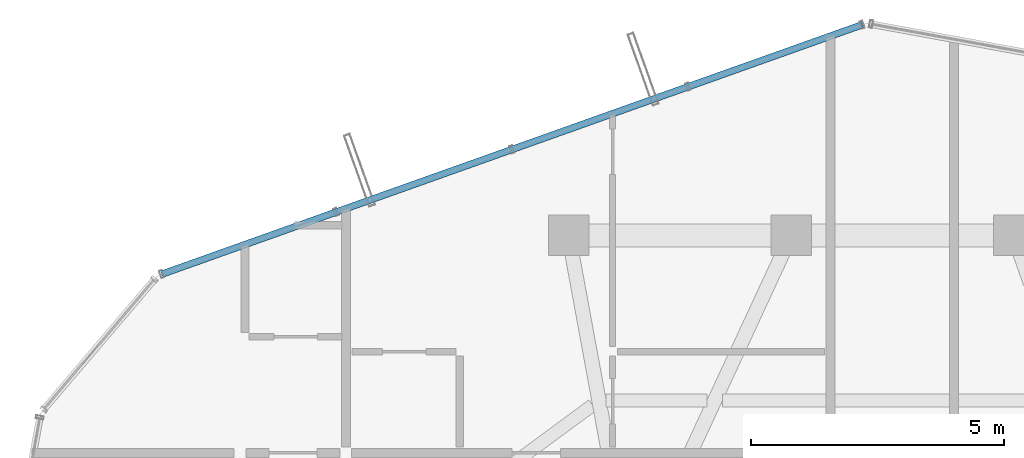
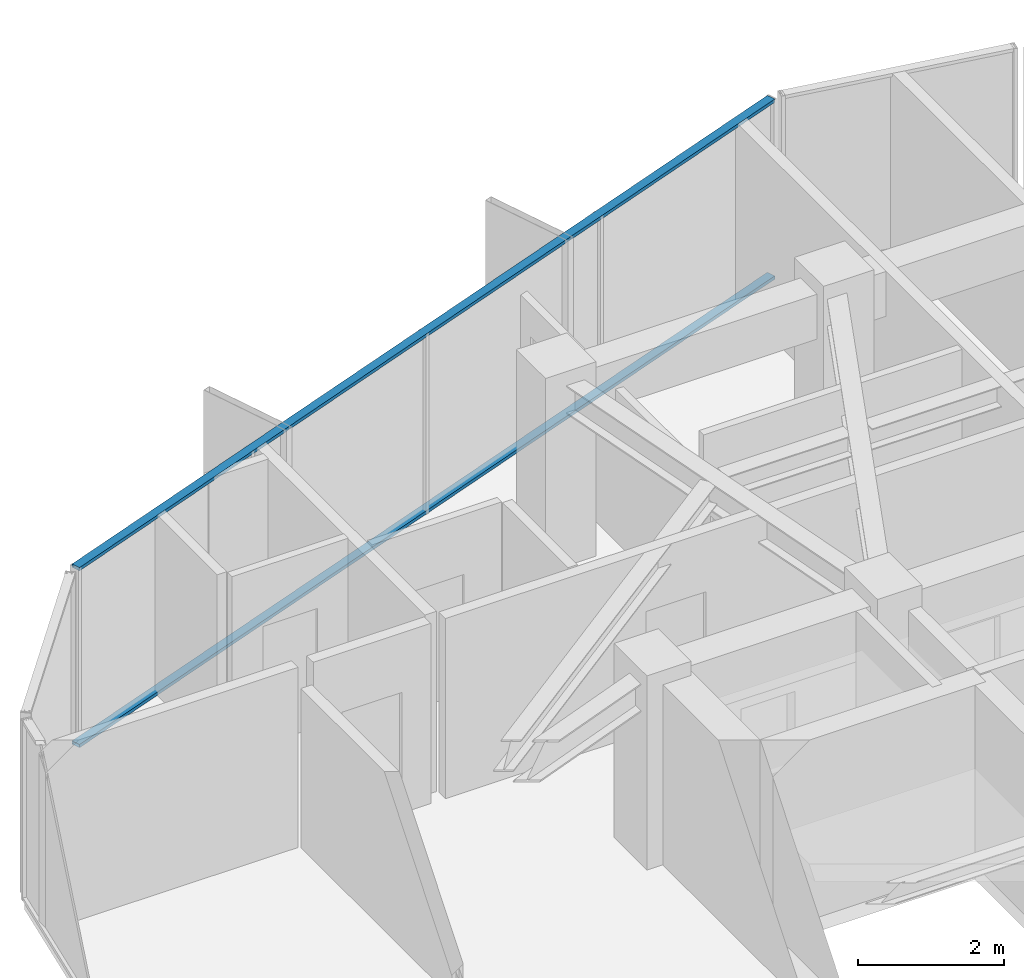
# One storey, part 22 of 29: 2 members, 1 element without a shape of its own.
"""IFC4 building model written with IfcOpenShell, lengths in metres."""

from ifc_helpers import new_model, si_unit, direction, frame, origin, origin_2d, place, context, subcontext, project, spatial, hollow_rectangle, extrude, source, transform, mapped, material, layer, layer_set, material_profile, profile_set, type_object, element, aggregate, save


model = new_model("IFC4")

# Units and contexts
model_context = context("Model", 3, precision=1e-05, world=origin(), true_north=direction((0.0, 1.0)))
body_context = subcontext(model_context, "Body", "Model", "MODEL_VIEW")
ifc_project = project(units=[si_unit("LENGTHUNIT", "METRE"), si_unit("AREAUNIT", "SQUARE_METRE"), si_unit("VOLUMEUNIT", "CUBIC_METRE"), si_unit("PLANEANGLEUNIT", "RADIAN"), si_unit("MASSUNIT", "GRAM", prefix="KILO")], contexts=[model_context])

# Site, building, storey
site_placement = place(None, origin())
site = spatial("IfcSite", under=ifc_project, at=site_placement, CompositionType="ELEMENT")
building_placement = place(site_placement, origin())
building = spatial("IfcBuilding", under=site, at=building_placement, Name="Veraguas Prism Commons", CompositionType="ELEMENT")
storey_placement = place(building_placement, frame((0.0, 0.0, 244.75)))
storey = spatial("IfcBuildingStorey", under=building, at=storey_placement, Name="L69", CompositionType="ELEMENT", Elevation=244.75)

# Curtain wall, members
ifc_material = material(Name="Anodised aluminium EN AW-6063 T6", Category="aluminium")
ifc_layer = layer(ifc_material, 0.14990234375, Name="Unitised Flush Curtain Wall Zone 4", Category="aluminium")
ifc_layer_set = layer_set([ifc_layer], Name="Anodised aluminium EN AW-6063 T6")
curtain_wall_type = type_object("IfcCurtainWallType", Name="Unitised Flush Curtain Wall Zone 4", PredefinedType="NOTDEFINED", material=ifc_layer_set)
curtain_wall_placement = place(storey_placement, origin())
curtain_wall = element("IfcCurtainWall", 1, at=curtain_wall_placement, inside=storey, type_object=curtain_wall_type, Name="Tower Facade Curtain Wall L69-F2", PredefinedType="NOTDEFINED")
ifc_material_profile = material_profile(ifc_material, hollow_rectangle(XDim=0.054931640625, YDim=0.135009765625, WallThickness=0.0029296875, at=origin_2d()), Name="AL55X135X3")
ifc_profile_set = profile_set([ifc_material_profile], Name="Anodised aluminium EN AW-6063 T6")
member_type = type_object("IfcMemberType", Name="Curtain Wall Transom Standard AL 55x135x3", PredefinedType="USERDEFINED", material=ifc_profile_set)
shared_shape = source(origin(), body_context, "Body", "SweptSolid", [
    extrude(hollow_rectangle(XDim=0.054931640625, YDim=0.135009765625, WallThickness=0.0029296875, at=origin_2d()), origin(), (0.0, 0.0, 1.0), 14.706298828125),
])
member_1_placement = place(storey_placement, frame((25.407470703125, 41.9677734375, 0.027587890625), z_axis=(-0.942055867222, -0.335456022502, 0.0), x_axis=(0.0, 0.0, 1.0)))
member_1 = element("IfcMember", 2, at=member_1_placement, type_object=member_type, Name="CW-Z4 Transom 1", ObjectType="TRANSOM", PredefinedType="USERDEFINED", context=body_context, shape_type="MappedRepresentation", body=[
    mapped(shared_shape, transform((0.0, 0.0, 0.0), scale=1.0)),
])
member_2_placement = place(storey_placement, frame((25.407470703125, 41.9677734375, 2.987548828125), z_axis=(-0.942055867222, -0.335456022502, 0.0), x_axis=(0.0, 0.0, 1.0)))
member_2 = element("IfcMember", 3, at=member_2_placement, type_object=member_type, Name="CW-Z4 Transom 2", ObjectType="TRANSOM", PredefinedType="USERDEFINED", context=body_context, shape_type="MappedRepresentation", body=[
    mapped(shared_shape, transform((0.0, 0.0, 0.0), scale=1.0)),
])
aggregate(curtain_wall, [member_1, member_2])

save(model, "model.ifc")
